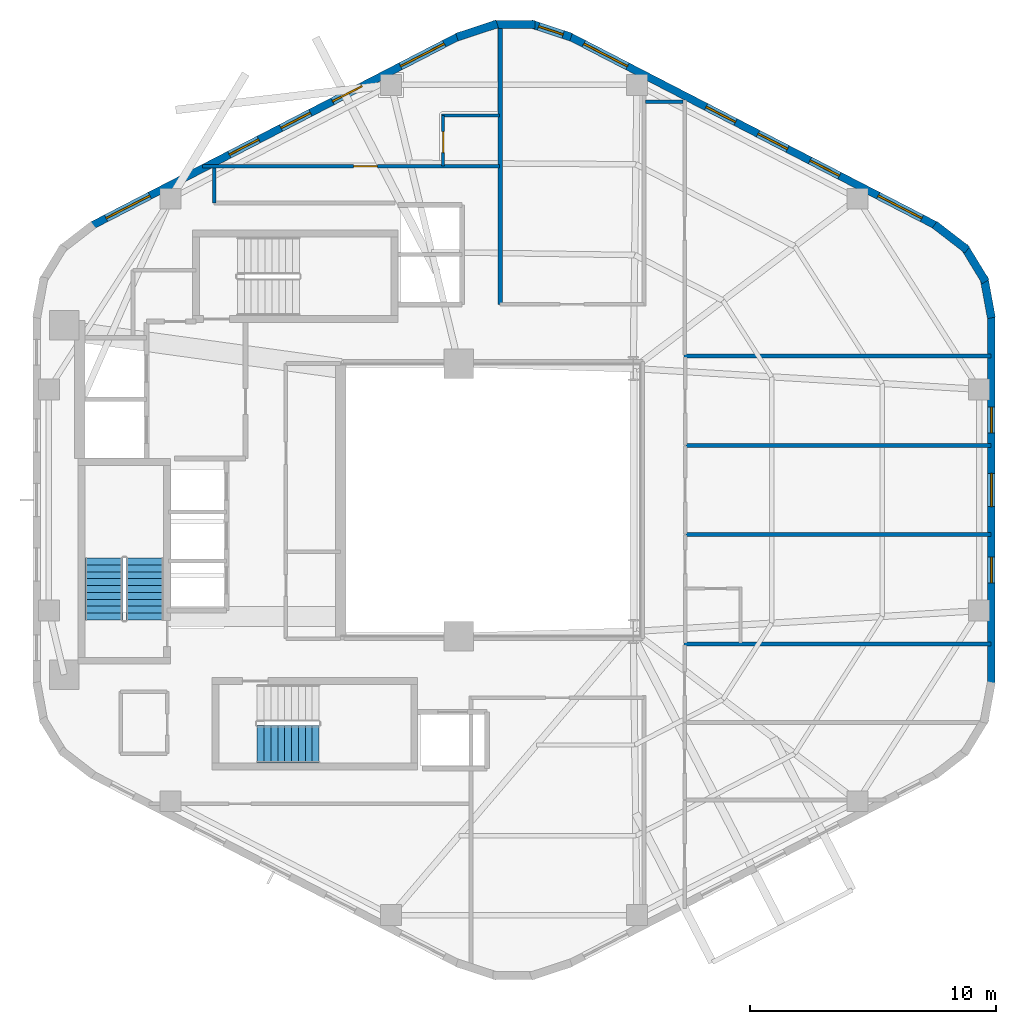
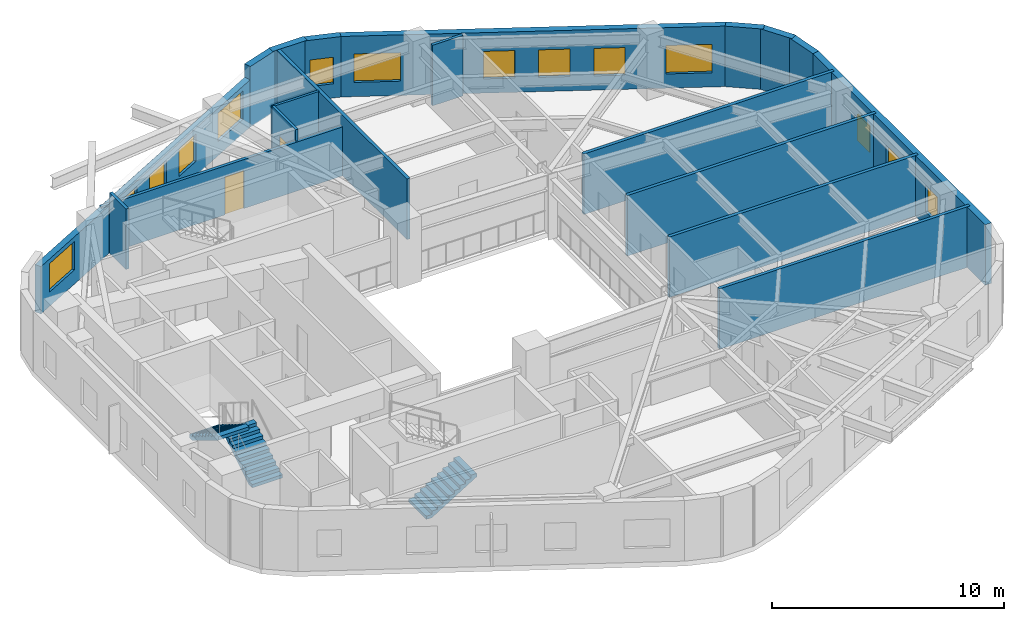
# One storey, part 5 of 7: 19 walls, 14 windows, 3 stair flights, 2 doors, 16 openings, 2 elements without a shape of their own.
"""IFC4 building model written with IfcOpenShell, lengths in metres."""

from ifc_helpers import new_model, si_unit, direction, frame, frame_2d, origin, place, context, subcontext, project, spatial, polyline, rectangle, outline, extrude, material, layer, layer_set, type_object, element, fill, aggregate, save


model = new_model("IFC4")

# Units and contexts
model_context = context("Model", 3, precision=1e-05, world=origin(), true_north=direction((0.0, 1.0)))
body_context = subcontext(model_context, "Body", "Model", "MODEL_VIEW")
ifc_project = project(units=[si_unit("LENGTHUNIT", "METRE"), si_unit("AREAUNIT", "SQUARE_METRE"), si_unit("VOLUMEUNIT", "CUBIC_METRE"), si_unit("PLANEANGLEUNIT", "RADIAN"), si_unit("MASSUNIT", "GRAM", prefix="KILO"), si_unit("THERMODYNAMICTEMPERATUREUNIT", "KELVIN"), si_unit("POWERUNIT", "WATT")], contexts=[model_context])

# Site, building, storey
site_placement = place(None, origin())
site = spatial("IfcSite", under=ifc_project, at=site_placement, CompositionType="ELEMENT")
building_placement = place(site_placement, origin())
building = spatial("IfcBuilding", under=site, at=building_placement, Name="Skarre Station Tower", CompositionType="ELEMENT")
storey_placement = place(building_placement, frame((0.0, 0.0, 199.89990234375)))
storey = spatial("IfcBuildingStorey", under=building, at=storey_placement, Name="L54", CompositionType="ELEMENT", Elevation=199.89990234375)

# Wall, opening, door
ifc_material_1 = material(Name="Acoustic Steel-Stud Gypsum Partition", Category="steel")
ifc_layer_1 = layer(ifc_material_1, 0.14990234375, Name="Acoustic Steel-Stud Gypsum Partition")
ifc_layer_set_1 = layer_set([ifc_layer_1], Name="Acoustic Steel-Stud Gypsum Partition")
wall_type_1 = type_object("IfcWallType", Name="Fire-Rated Corridor Acoustic Partition 150", PredefinedType="PARTITIONING", material=ifc_layer_set_1)
wall_1_placement = place(storey_placement, frame((34.0, 37.580078125, 0.0), z_axis=(0.0, 0.0, 1.0), x_axis=(-1.0, 0.0, 0.0)))
wall_1 = element("IfcWall", 1, at=wall_1_placement, inside=storey, type_object=wall_type_1, Name="L54 Interior Partition WL-PT-L54-NWW1-CW", PredefinedType="PARTITIONING", context=body_context, shape_type="SweptSolid", body=[
    extrude(rectangle(XDim=12.074951171875, YDim=0.14990234375, at=frame_2d((6.03759765625, 0.0))), origin(), (0.0, 0.0, 1.0), 2.58203125),
])
opening_1_placement = place(wall_1_placement, frame((4.9599609375, 0.0, 0.0)))
opening_1 = element("IfcOpeningElement", 2, at=opening_1_placement, cuts=wall_1, Name="Opening DR-FD60", PredefinedType="OPENING", context=body_context, shape_type="SweptSolid", body=[
    extrude(rectangle(XDim=0.9599609375, YDim=2.0, at=frame_2d((0.47998046875, 1.0))), frame((0.0, 0.0849609375, 0.0), z_axis=(0.0, -1.0, 0.0), x_axis=(1.0, 0.0, 0.0)), (0.0, 0.0, 1.0), 0.169921875),
])
ifc_material_2 = material(Name="Nordic White-Oak Veneer Solid-Core Fire Leaf", Category="wood")
door_type_1 = type_object("IfcDoorType", Name="Corridor Suite Entry Fire Door FD60 960x2150", OperationType="SINGLE_SWING_LEFT", PredefinedType="DOOR", material=ifc_material_2)
door_1_placement = place(opening_1_placement, origin())
door_1 = element("IfcDoor", 3, at=door_1_placement, inside=storey, type_object=door_type_1, Name="L54 NWW1 Entry Door", OperationType="SINGLE_SWING_LEFT", OverallHeight=2.0, OverallWidth=0.9599609375, PredefinedType="DOOR", context=body_context, shape_type="SweptSolid", body=[
    extrude(rectangle(XDim=0.9599609375, YDim=2.0, at=frame_2d((0.47998046875, 1.0))), frame((0.0, 0.02490234375, 0.0), z_axis=(0.0, -1.0, 0.0), x_axis=(1.0, 0.0, 0.0)), (0.0, 0.0, 1.0), 0.050048828125),
])
fill(opening_1, door_1)

# Walls
wall_2_placement = place(storey_placement, frame((22.39990234375, 36.080078125, 0.0), z_axis=(0.0, 0.0, 1.0), x_axis=(0.0, 1.0, 0.0)))
element("IfcWall", 4, at=wall_2_placement, inside=storey, type_object=wall_type_1, Name="L54 Interior Partition WL-PT-L54-CSEAL-2", PredefinedType="PARTITIONING", context=body_context, shape_type="SweptSolid", body=[
    extrude(rectangle(XDim=1.429931640625, YDim=0.14990234375, at=frame_2d((0.71484375, 0.0))), origin(), (0.0, 0.0, 1.0), 3.190185546875),
])
wall_3_placement = place(storey_placement, frame((39.9580078125, 40.199951171875, 0.0), z_axis=(0.0, 0.0, 1.0), x_axis=(1.0, 0.0, 0.0)))
element("IfcWall", 5, at=wall_3_placement, inside=storey, type_object=wall_type_1, Name="L54 Interior Partition WL-PT-L54-CSEAL-3", PredefinedType="PARTITIONING", context=body_context, shape_type="SweptSolid", body=[
    extrude(rectangle(XDim=1.511962890625, YDim=0.14990234375, at=frame_2d((0.755859375, 0.0))), origin(), (0.0, 0.0, 1.0), 3.190185546875),
])
ifc_material_3 = material(Name="Insulated Timber-Stud Gypsum Partition", Category="wood")
ifc_layer_2 = layer(ifc_material_3, 0.1201171875, Name="Insulated Timber-Stud Gypsum Partition")
ifc_layer_set_2 = layer_set([ifc_layer_2], Name="Insulated Timber-Stud Gypsum Partition")
wall_type_2 = type_object("IfcWallType", Name="Internal Suite Acoustic Partition 120", PredefinedType="PARTITIONING", material=ifc_layer_set_2)
wall_4_placement = place(storey_placement, frame((34.0, 39.639892578125, 0.0), z_axis=(0.0, 0.0, 1.0), x_axis=(-1.0, 0.0, 0.0)))
element("IfcWall", 6, at=wall_4_placement, inside=storey, type_object=wall_type_2, Name="L54 Interior Partition WL-PT-L54-NWW1-EW3", PredefinedType="PARTITIONING", context=body_context, shape_type="SweptSolid", body=[
    extrude(rectangle(XDim=2.340087890625, YDim=0.1201171875, at=frame_2d((1.169921875, 0.0))), origin(), (0.0, 0.0, 1.0), 3.190185546875),
])

# Wall, opening, door
wall_5_placement = place(storey_placement, frame((31.719970703125, 39.639892578125, 0.0), z_axis=(0.0, 0.0, 1.0), x_axis=(0.0, -1.0, 0.0)))
wall_5 = element("IfcWall", 7, at=wall_5_placement, inside=storey, type_object=wall_type_2, Name="L54 Interior Partition WL-PT-L54-NWW1-EW4", PredefinedType="PARTITIONING", context=body_context, shape_type="SweptSolid", body=[
    extrude(rectangle(XDim=2.059814453125, YDim=0.1201171875, at=frame_2d((1.02978515625, 0.0))), origin(), (0.0, 0.0, 1.0), 3.190185546875),
])
opening_2_placement = place(wall_5_placement, frame((0.64990234375, 0.0, 0.0)))
opening_2 = element("IfcOpeningElement", 8, at=opening_2_placement, cuts=wall_5, Name="Opening DR-INT86", PredefinedType="OPENING", context=body_context, shape_type="SweptSolid", body=[
    extrude(rectangle(XDim=0.860107421875, YDim=2.0, at=frame_2d((0.43017578125, 1.0))), frame((0.0, 0.070068359375, 0.0), z_axis=(0.0, -1.0, 0.0), x_axis=(1.0, 0.0, 0.0)), (0.0, 0.0, 1.0), 0.14013671875),
])
ifc_material_4 = material(Name="Nordic Birch Acoustic Solid-Core Timber Leaf", Category="wood")
door_type_2 = type_object("IfcDoorType", Name="Internal En-Suite & Bedroom Door 860x2100", OperationType="SINGLE_SWING_LEFT", PredefinedType="DOOR", material=ifc_material_4)
door_2_placement = place(opening_2_placement, origin())
door_2 = element("IfcDoor", 9, at=door_2_placement, inside=storey, type_object=door_type_2, Name="L54 NWW1 En-suite Door", OperationType="SINGLE_SWING_RIGHT", OverallHeight=2.0, OverallWidth=0.860107421875, PredefinedType="DOOR", context=body_context, shape_type="SweptSolid", body=[
    extrude(rectangle(XDim=0.860107421875, YDim=2.0, at=frame_2d((0.43017578125, 1.0))), frame((0.0, 0.02490234375, 0.0), z_axis=(0.0, -1.0, 0.0), x_axis=(1.0, 0.0, 0.0)), (0.0, 0.0, 1.0), 0.050048828125),
])
fill(opening_2, door_2)

# Walls
ifc_material_5 = material(Name="Precast concrete C45/55", Category="concrete")
ifc_layer_3 = layer(ifc_material_5, 0.330078125, Name="Precast concrete C45/55")
ifc_layer_set_3 = layer_set([ifc_layer_3], Name="Precast concrete C45/55")
wall_type_3 = type_object("IfcWallType", Name="Nordic Rounded Corner Precast Wall 330", PredefinedType="STANDARD", material=ifc_layer_set_3)
wall_6_placement = place(storey_placement, frame((51.7109375, 35.199951171875, 0.0), z_axis=(0.0, 0.0, 1.0), x_axis=(0.791464279355, -0.611215423976, 0.0)))
element("IfcWall", 10, at=wall_6_placement, inside=storey, type_object=wall_type_3, Name="L54 Rounded Corner Precast Wall F0-1", PredefinedType="STANDARD", context=body_context, shape_type="SweptSolid", body=[
    extrude(rectangle(XDim=1.6767578125, YDim=0.330078125, at=frame_2d((0.83837890625, 0.0))), origin(), (0.0, 0.0, 1.0), 3.190185546875),
])
wall_7_placement = place(storey_placement, frame((52.912109375, 34.31494140625, 0.0), z_axis=(0.0, 0.0, 1.0), x_axis=(0.520219286058, -0.85403272444, 0.0)))
element("IfcWall", 11, at=wall_7_placement, inside=storey, type_object=wall_type_3, Name="L54 Rounded Corner Precast Wall F0-2", PredefinedType="STANDARD", context=body_context, shape_type="SweptSolid", body=[
    extrude(rectangle(XDim=1.677734375, YDim=0.330078125, at=frame_2d((0.8388671875, 0.0))), origin(), (0.0, 0.0, 1.0), 3.190185546875),
])
wall_8_placement = place(storey_placement, frame((53.718017578125, 33.056884765625, 0.0), z_axis=(0.0, 0.0, 1.0), x_axis=(0.180717642671, -0.983535019014, 0.0)))
element("IfcWall", 12, at=wall_8_placement, inside=storey, type_object=wall_type_3, Name="L54 Rounded Corner Precast Wall F0-3", PredefinedType="STANDARD", context=body_context, shape_type="SweptSolid", body=[
    extrude(rectangle(XDim=1.676513671875, YDim=0.330078125, at=frame_2d((0.83837890625, 0.0))), origin(), (0.0, 0.0, 1.0), 3.190185546875),
])
wall_9_placement = place(storey_placement, frame((32.281005859375, 42.83203125, 0.0), z_axis=(0.0, 0.0, 1.0), x_axis=(0.949937416267, 0.312440242569, 0.0)))
element("IfcWall", 13, at=wall_9_placement, inside=storey, type_object=wall_type_3, Name="L54 Rounded Corner Precast Wall F1-1", PredefinedType="STANDARD", context=body_context, shape_type="SweptSolid", body=[
    extrude(rectangle(XDim=1.72216796875, YDim=0.330078125, at=frame_2d((0.861083984375, 0.0))), origin(), (0.0, 0.0, 1.0), 3.190185546875),
])
wall_10_placement = place(storey_placement, frame((33.739013671875, 43.341064453125, 0.0), z_axis=(0.0, 0.0, 1.0), x_axis=(1.0, 0.0, 0.0)))
element("IfcWall", 14, at=wall_10_placement, inside=storey, type_object=wall_type_3, Name="L54 Rounded Corner Precast Wall F1-2", PredefinedType="STANDARD", context=body_context, shape_type="SweptSolid", body=[
    extrude(rectangle(XDim=1.721923828125, YDim=0.330078125, at=frame_2d((0.86083984375, 0.0))), origin(), (0.0, 0.0, 1.0), 3.190185546875),
])

# Wall, opening, window
wall_11_placement = place(storey_placement, frame((35.282958984375, 43.3701171875, 0.0), z_axis=(0.0, 0.0, 1.0), x_axis=(0.949937416267, -0.312440242569, 0.0)))
wall_11 = element("IfcWall", 15, at=wall_11_placement, inside=storey, type_object=wall_type_3, Name="L54 Rounded Corner Precast Wall F1-3", PredefinedType="STANDARD", context=body_context, shape_type="SweptSolid", body=[
    extrude(rectangle(XDim=1.72216796875, YDim=0.330078125, at=frame_2d((0.861083984375, 0.0))), origin(), (0.0, 0.0, 1.0), 3.190185546875),
])
opening_3_placement = place(wall_11_placement, frame((0.3359375, 0.0, 0.75)))
opening_3 = element("IfcOpeningElement", 16, at=opening_3_placement, cuts=wall_11, Name="Opening WN-SLT", PredefinedType="OPENING", context=body_context, shape_type="SweptSolid", body=[
    extrude(rectangle(XDim=1.050048828125, YDim=1.39990234375, at=frame_2d((0.52490234375, 0.699951171875))), frame((0.0, 0.175048828125, 0.0), z_axis=(0.0, -1.0, 0.0), x_axis=(1.0, 0.0, 0.0)), (0.0, 0.0, 1.0), 0.35009765625),
])
ifc_material_6 = material(Name="Low-Iron Triple Glazing with Bronze Anodized Frame", Category="glass")
window_type_1 = type_object("IfcWindowType", Name="Nordic Corner Slot Window 1050x1400", PartitioningType="SINGLE_PANEL", PredefinedType="WINDOW", material=ifc_material_6)
window_1_placement = place(opening_3_placement, origin())
window_1 = element("IfcWindow", 17, at=window_1_placement, inside=storey, type_object=window_type_1, Name="L54 Apex Corner Slot Window F1-3", OverallHeight=1.39990234375, OverallWidth=1.050048828125, PartitioningType="SINGLE_PANEL", PredefinedType="WINDOW", context=body_context, shape_type="SweptSolid", body=[
    extrude(rectangle(XDim=1.050048828125, YDim=1.39990234375, at=frame_2d((0.52490234375, 0.699951171875))), frame((0.0, 0.030029296875, 0.0), z_axis=(0.0, -1.0, 0.0), x_axis=(1.0, 0.0, 0.0)), (0.0, 0.0, 1.0), 0.06005859375),
])
fill(opening_3, window_1)

# Wall, openings, windows
ifc_layer_4 = layer(ifc_material_5, 0.31005859375, Name="Precast concrete C45/55")
ifc_layer_set_4 = layer_set([ifc_layer_4], Name="Precast concrete C45/55")
wall_type_4 = type_object("IfcWallType", Name="Nordic Upper-Zone Precast Facet Wall 310", PredefinedType="STANDARD", material=ifc_layer_set_4)
wall_12_placement = place(storey_placement, frame((36.837890625, 42.87109375, 0.0), z_axis=(0.0, 0.0, 1.0), x_axis=(0.888626188278, -0.458632202867, 0.0)))
wall_12 = element("IfcWall", 18, at=wall_12_placement, inside=storey, type_object=wall_type_4, Name="L54 Facet 0 Nordic Precast Masonry Wall", PredefinedType="STANDARD", context=body_context, shape_type="SweptSolid", body=[
    extrude(rectangle(XDim=16.828369140625, YDim=0.31005859375, at=frame_2d((8.4140625, 0.0))), origin(), (0.0, 0.0, 1.0), 3.190185546875),
])
opening_4_placement = place(wall_12_placement, frame((0.675048828125, 0.0, 0.75)))
opening_4 = element("IfcOpeningElement", 19, at=opening_4_placement, cuts=wall_12, Name="Opening WN-Z3A", PredefinedType="OPENING", context=body_context, shape_type="SweptSolid", body=[
    extrude(rectangle(XDim=2.0, YDim=1.5, at=frame_2d((1.0, 0.75))), frame((0.0, 0.1650390625, 0.0), z_axis=(0.0, -1.0, 0.0), x_axis=(1.0, 0.0, 0.0)), (0.0, 0.0, 1.0), 0.330078125),
])
opening_5_placement = place(wall_12_placement, frame((6.27294921875, 0.0, 0.75)))
opening_5 = element("IfcOpeningElement", 20, at=opening_5_placement, cuts=wall_12, Name="Opening WN-Z3B", PredefinedType="OPENING", context=body_context, shape_type="SweptSolid", body=[
    extrude(rectangle(XDim=1.35009765625, YDim=1.449951171875, at=frame_2d((0.675048828125, 0.72509765625))), frame((0.0, 0.1650390625, 0.0), z_axis=(0.0, -1.0, 0.0), x_axis=(1.0, 0.0, 0.0)), (0.0, 0.0, 1.0), 0.330078125),
])
opening_6_placement = place(wall_12_placement, frame((8.653076171875, 0.0, 0.75)))
opening_6 = element("IfcOpeningElement", 21, at=opening_6_placement, cuts=wall_12, Name="Opening WN-Z3B", PredefinedType="OPENING", context=body_context, shape_type="SweptSolid", body=[
    extrude(rectangle(XDim=1.35009765625, YDim=1.449951171875, at=frame_2d((0.675048828125, 0.72509765625))), frame((0.0, 0.1650390625, 0.0), z_axis=(0.0, -1.0, 0.0), x_axis=(1.0, 0.0, 0.0)), (0.0, 0.0, 1.0), 0.330078125),
])
opening_7_placement = place(wall_12_placement, frame((11.031982421875, 0.0, 0.75)))
opening_7 = element("IfcOpeningElement", 22, at=opening_7_placement, cuts=wall_12, Name="Opening WN-Z3B", PredefinedType="OPENING", context=body_context, shape_type="SweptSolid", body=[
    extrude(rectangle(XDim=1.35009765625, YDim=1.449951171875, at=frame_2d((0.675048828125, 0.72509765625))), frame((0.0, 0.1650390625, 0.0), z_axis=(0.0, -1.0, 0.0), x_axis=(1.0, 0.0, 0.0)), (0.0, 0.0, 1.0), 0.330078125),
])
opening_8_placement = place(wall_12_placement, frame((14.153076171875, 0.0, 0.75)))
opening_8 = element("IfcOpeningElement", 23, at=opening_8_placement, cuts=wall_12, Name="Opening WN-Z3A", PredefinedType="OPENING", context=body_context, shape_type="SweptSolid", body=[
    extrude(rectangle(XDim=2.0, YDim=1.5, at=frame_2d((1.0, 0.75))), frame((0.0, 0.1650390625, 0.0), z_axis=(0.0, -1.0, 0.0), x_axis=(1.0, 0.0, 0.0)), (0.0, 0.0, 1.0), 0.330078125),
])
window_type_2 = type_object("IfcWindowType", Name="Nordic Hospitality Narrow Window 1350x1450", PartitioningType="SINGLE_PANEL", PredefinedType="WINDOW", material=ifc_material_6)
window_2_placement = place(opening_5_placement, origin())
window_2 = element("IfcWindow", 24, at=window_2_placement, inside=storey, type_object=window_type_2, Name="L54 Facade Window WL-FAC-L54-F0-2", OverallHeight=1.449951171875, OverallWidth=1.35009765625, PartitioningType="SINGLE_PANEL", PredefinedType="WINDOW", context=body_context, shape_type="SweptSolid", body=[
    extrude(rectangle(XDim=1.35009765625, YDim=1.449951171875, at=frame_2d((0.675048828125, 0.72509765625))), frame((0.0, 0.030029296875, 0.0), z_axis=(0.0, -1.0, 0.0), x_axis=(1.0, 0.0, 0.0)), (0.0, 0.0, 1.0), 0.06005859375),
])
fill(opening_5, window_2)
window_3_placement = place(opening_6_placement, origin())
window_3 = element("IfcWindow", 25, at=window_3_placement, inside=storey, type_object=window_type_2, Name="L54 Facade Window WL-FAC-L54-F0-3", OverallHeight=1.449951171875, OverallWidth=1.35009765625, PartitioningType="SINGLE_PANEL", PredefinedType="WINDOW", context=body_context, shape_type="SweptSolid", body=[
    extrude(rectangle(XDim=1.35009765625, YDim=1.449951171875, at=frame_2d((0.675048828125, 0.72509765625))), frame((0.0, 0.030029296875, 0.0), z_axis=(0.0, -1.0, 0.0), x_axis=(1.0, 0.0, 0.0)), (0.0, 0.0, 1.0), 0.06005859375),
])
fill(opening_6, window_3)
window_4_placement = place(opening_7_placement, origin())
window_4 = element("IfcWindow", 26, at=window_4_placement, inside=storey, type_object=window_type_2, Name="L54 Facade Window WL-FAC-L54-F0-4", OverallHeight=1.449951171875, OverallWidth=1.35009765625, PartitioningType="SINGLE_PANEL", PredefinedType="WINDOW", context=body_context, shape_type="SweptSolid", body=[
    extrude(rectangle(XDim=1.35009765625, YDim=1.449951171875, at=frame_2d((0.675048828125, 0.72509765625))), frame((0.0, 0.030029296875, 0.0), z_axis=(0.0, -1.0, 0.0), x_axis=(1.0, 0.0, 0.0)), (0.0, 0.0, 1.0), 0.06005859375),
])
fill(opening_7, window_4)
window_type_3 = type_object("IfcWindowType", Name="Nordic Hospitality Window 2000x1500", PartitioningType="SINGLE_PANEL", PredefinedType="WINDOW", material=ifc_material_6)
window_5_placement = place(opening_4_placement, origin())
window_5 = element("IfcWindow", 27, at=window_5_placement, inside=storey, type_object=window_type_3, Name="L54 Facade Window WL-FAC-L54-F0-1", OverallHeight=1.5, OverallWidth=2.0, PartitioningType="SINGLE_PANEL", PredefinedType="WINDOW", context=body_context, shape_type="SweptSolid", body=[
    extrude(rectangle(XDim=2.0, YDim=1.5, at=frame_2d((1.0, 0.75))), frame((0.0, 0.030029296875, 0.0), z_axis=(0.0, -1.0, 0.0), x_axis=(1.0, 0.0, 0.0)), (0.0, 0.0, 1.0), 0.06005859375),
])
fill(opening_4, window_5)
window_6_placement = place(opening_8_placement, origin())
window_6 = element("IfcWindow", 28, at=window_6_placement, inside=storey, type_object=window_type_3, Name="L54 Facade Window WL-FAC-L54-F0-5", OverallHeight=1.5, OverallWidth=2.0, PartitioningType="SINGLE_PANEL", PredefinedType="WINDOW", context=body_context, shape_type="SweptSolid", body=[
    extrude(rectangle(XDim=2.0, YDim=1.5, at=frame_2d((1.0, 0.75))), frame((0.0, 0.030029296875, 0.0), z_axis=(0.0, -1.0, 0.0), x_axis=(1.0, 0.0, 0.0)), (0.0, 0.0, 1.0), 0.06005859375),
])
fill(opening_8, window_6)

wall_13_placement = place(storey_placement, frame((17.407958984375, 35.153076171875, 0.0), z_axis=(0.0, 0.0, 1.0), x_axis=(0.888626188278, 0.458632202867, 0.0)))
wall_13 = element("IfcWall", 29, at=wall_13_placement, inside=storey, type_object=wall_type_4, Name="L54 Facet 1 Nordic Precast Masonry Wall", PredefinedType="STANDARD", context=body_context, shape_type="SweptSolid", body=[
    extrude(rectangle(XDim=16.828369140625, YDim=0.31005859375, at=frame_2d((8.4140625, 0.0))), origin(), (0.0, 0.0, 1.0), 2.494140625),
])
opening_9_placement = place(wall_13_placement, frame((0.675048828125, 0.0, 0.75)))
opening_9 = element("IfcOpeningElement", 30, at=opening_9_placement, cuts=wall_13, Name="Opening WN-Z3A", PredefinedType="OPENING", context=body_context, shape_type="SweptSolid", body=[
    extrude(rectangle(XDim=2.0, YDim=1.5, at=frame_2d((1.0, 0.75))), frame((0.0, 0.1650390625, 0.0), z_axis=(0.0, -1.0, 0.0), x_axis=(1.0, 0.0, 0.0)), (0.0, 0.0, 1.0), 0.330078125),
])
opening_10_placement = place(wall_13_placement, frame((6.31201171875, 0.0, 0.75)))
opening_10 = element("IfcOpeningElement", 31, at=opening_10_placement, cuts=wall_13, Name="Opening WN-Z3B", PredefinedType="OPENING", context=body_context, shape_type="SweptSolid", body=[
    extrude(rectangle(XDim=1.35009765625, YDim=1.449951171875, at=frame_2d((0.675048828125, 0.72509765625))), frame((0.0, 0.1650390625, 0.0), z_axis=(0.0, -1.0, 0.0), x_axis=(1.0, 0.0, 0.0)), (0.0, 0.0, 1.0), 0.330078125),
])
opening_11_placement = place(wall_13_placement, frame((8.676025390625, 0.0, 0.75)))
opening_11 = element("IfcOpeningElement", 32, at=opening_11_placement, cuts=wall_13, Name="Opening WN-Z3B", PredefinedType="OPENING", context=body_context, shape_type="SweptSolid", body=[
    extrude(rectangle(XDim=1.35009765625, YDim=1.449951171875, at=frame_2d((0.675048828125, 0.72509765625))), frame((0.0, 0.1650390625, 0.0), z_axis=(0.0, -1.0, 0.0), x_axis=(1.0, 0.0, 0.0)), (0.0, 0.0, 1.0), 0.330078125),
])
opening_12_placement = place(wall_13_placement, frame((11.041015625, 0.0, 0.75)))
opening_12 = element("IfcOpeningElement", 33, at=opening_12_placement, cuts=wall_13, Name="Opening WN-Z3B", PredefinedType="OPENING", context=body_context, shape_type="SweptSolid", body=[
    extrude(rectangle(XDim=1.35009765625, YDim=1.449951171875, at=frame_2d((0.675048828125, 0.72509765625))), frame((0.0, 0.1650390625, 0.0), z_axis=(0.0, -1.0, 0.0), x_axis=(1.0, 0.0, 0.0)), (0.0, 0.0, 1.0), 0.330078125),
])
opening_13_placement = place(wall_13_placement, frame((14.153076171875, 0.0, 0.75)))
opening_13 = element("IfcOpeningElement", 34, at=opening_13_placement, cuts=wall_13, Name="Opening WN-Z3A", PredefinedType="OPENING", context=body_context, shape_type="SweptSolid", body=[
    extrude(rectangle(XDim=2.0, YDim=1.5, at=frame_2d((1.0, 0.75))), frame((0.0, 0.1650390625, 0.0), z_axis=(0.0, -1.0, 0.0), x_axis=(1.0, 0.0, 0.0)), (0.0, 0.0, 1.0), 0.330078125),
])
window_7_placement = place(opening_10_placement, origin())
window_7 = element("IfcWindow", 35, at=window_7_placement, inside=storey, type_object=window_type_2, Name="L54 Facade Window WL-FAC-L54-F1-2", OverallHeight=1.449951171875, OverallWidth=1.35009765625, PartitioningType="SINGLE_PANEL", PredefinedType="WINDOW", context=body_context, shape_type="SweptSolid", body=[
    extrude(rectangle(XDim=1.35009765625, YDim=1.449951171875, at=frame_2d((0.675048828125, 0.72509765625))), frame((0.0, 0.030029296875, 0.0), z_axis=(0.0, -1.0, 0.0), x_axis=(1.0, 0.0, 0.0)), (0.0, 0.0, 1.0), 0.06005859375),
])
fill(opening_10, window_7)
window_8_placement = place(opening_11_placement, origin())
window_8 = element("IfcWindow", 36, at=window_8_placement, inside=storey, type_object=window_type_2, Name="L54 Facade Window WL-FAC-L54-F1-3", OverallHeight=1.449951171875, OverallWidth=1.35009765625, PartitioningType="SINGLE_PANEL", PredefinedType="WINDOW", context=body_context, shape_type="SweptSolid", body=[
    extrude(rectangle(XDim=1.35009765625, YDim=1.449951171875, at=frame_2d((0.675048828125, 0.72509765625))), frame((0.0, 0.030029296875, 0.0), z_axis=(0.0, -1.0, 0.0), x_axis=(1.0, 0.0, 0.0)), (0.0, 0.0, 1.0), 0.06005859375),
])
fill(opening_11, window_8)
window_9_placement = place(opening_12_placement, origin())
window_9 = element("IfcWindow", 37, at=window_9_placement, inside=storey, type_object=window_type_2, Name="L54 Facade Window WL-FAC-L54-F1-4", OverallHeight=1.449951171875, OverallWidth=1.35009765625, PartitioningType="SINGLE_PANEL", PredefinedType="WINDOW", context=body_context, shape_type="SweptSolid", body=[
    extrude(rectangle(XDim=1.35009765625, YDim=1.449951171875, at=frame_2d((0.675048828125, 0.72509765625))), frame((0.0, 0.030029296875, 0.0), z_axis=(0.0, -1.0, 0.0), x_axis=(1.0, 0.0, 0.0)), (0.0, 0.0, 1.0), 0.06005859375),
])
fill(opening_12, window_9)
window_10_placement = place(opening_9_placement, origin())
window_10 = element("IfcWindow", 38, at=window_10_placement, inside=storey, type_object=window_type_3, Name="L54 Facade Window WL-FAC-L54-F1-1", OverallHeight=1.5, OverallWidth=2.0, PartitioningType="SINGLE_PANEL", PredefinedType="WINDOW", context=body_context, shape_type="SweptSolid", body=[
    extrude(rectangle(XDim=2.0, YDim=1.5, at=frame_2d((1.0, 0.75))), frame((0.0, 0.030029296875, 0.0), z_axis=(0.0, -1.0, 0.0), x_axis=(1.0, 0.0, 0.0)), (0.0, 0.0, 1.0), 0.06005859375),
])
fill(opening_9, window_10)
window_11_placement = place(opening_13_placement, origin())
window_11 = element("IfcWindow", 39, at=window_11_placement, inside=storey, type_object=window_type_3, Name="L54 Facade Window WL-FAC-L54-F1-5", OverallHeight=1.5, OverallWidth=2.0, PartitioningType="SINGLE_PANEL", PredefinedType="WINDOW", context=body_context, shape_type="SweptSolid", body=[
    extrude(rectangle(XDim=2.0, YDim=1.5, at=frame_2d((1.0, 0.75))), frame((0.0, 0.030029296875, 0.0), z_axis=(0.0, -1.0, 0.0), x_axis=(1.0, 0.0, 0.0)), (0.0, 0.0, 1.0), 0.06005859375),
])
fill(opening_13, window_11)

wall_14_placement = place(storey_placement, frame((54.01708984375, 31.501953125, 0.0), z_axis=(0.0, 0.0, 1.0), x_axis=(0.0, -1.0, 0.0)))
wall_14 = element("IfcWall", 40, at=wall_14_placement, inside=storey, type_object=wall_type_4, Name="L54 Facet 5 Nordic Precast Masonry Wall", PredefinedType="STANDARD", context=body_context, shape_type="SweptSolid", body=[
    extrude(rectangle(XDim=15.00390625, YDim=0.31005859375, at=frame_2d((7.501953125, 0.0))), origin(), (0.0, 0.0, 1.0), 3.190185546875),
])
opening_14_placement = place(wall_14_placement, frame((3.721923828125, 0.0, 0.75)))
opening_14 = element("IfcOpeningElement", 41, at=opening_14_placement, cuts=wall_14, Name="Opening WN-SLT", PredefinedType="OPENING", context=body_context, shape_type="SweptSolid", body=[
    extrude(rectangle(XDim=1.050048828125, YDim=1.39990234375, at=frame_2d((0.52490234375, 0.699951171875))), frame((0.0, 0.1650390625, 0.0), z_axis=(0.0, -1.0, 0.0), x_axis=(1.0, 0.0, 0.0)), (0.0, 0.0, 1.0), 0.330078125),
])
opening_15_placement = place(wall_14_placement, frame((6.4189453125, 0.0, 0.75)))
opening_15 = element("IfcOpeningElement", 42, at=opening_15_placement, cuts=wall_14, Name="Opening WN-Z3B", PredefinedType="OPENING", context=body_context, shape_type="SweptSolid", body=[
    extrude(rectangle(XDim=1.35009765625, YDim=1.449951171875, at=frame_2d((0.675048828125, 0.72509765625))), frame((0.0, 0.1650390625, 0.0), z_axis=(0.0, -1.0, 0.0), x_axis=(1.0, 0.0, 0.0)), (0.0, 0.0, 1.0), 0.330078125),
])
opening_16_placement = place(wall_14_placement, frame((9.824951171875, 0.0, 0.75)))
opening_16 = element("IfcOpeningElement", 43, at=opening_16_placement, cuts=wall_14, Name="Opening WN-SLT", PredefinedType="OPENING", context=body_context, shape_type="SweptSolid", body=[
    extrude(rectangle(XDim=1.050048828125, YDim=1.39990234375, at=frame_2d((0.52490234375, 0.699951171875))), frame((0.0, 0.1650390625, 0.0), z_axis=(0.0, -1.0, 0.0), x_axis=(1.0, 0.0, 0.0)), (0.0, 0.0, 1.0), 0.330078125),
])
window_12_placement = place(opening_14_placement, origin())
window_12 = element("IfcWindow", 44, at=window_12_placement, inside=storey, type_object=window_type_1, Name="L54 Facade Window WL-FAC-L54-F5-1", OverallHeight=1.39990234375, OverallWidth=1.050048828125, PartitioningType="SINGLE_PANEL", PredefinedType="WINDOW", context=body_context, shape_type="SweptSolid", body=[
    extrude(rectangle(XDim=1.050048828125, YDim=1.39990234375, at=frame_2d((0.52490234375, 0.699951171875))), frame((0.0, 0.030029296875, 0.0), z_axis=(0.0, -1.0, 0.0), x_axis=(1.0, 0.0, 0.0)), (0.0, 0.0, 1.0), 0.06005859375),
])
fill(opening_14, window_12)
window_13_placement = place(opening_16_placement, origin())
window_13 = element("IfcWindow", 45, at=window_13_placement, inside=storey, type_object=window_type_1, Name="L54 Facade Window WL-FAC-L54-F5-3", OverallHeight=1.39990234375, OverallWidth=1.050048828125, PartitioningType="SINGLE_PANEL", PredefinedType="WINDOW", context=body_context, shape_type="SweptSolid", body=[
    extrude(rectangle(XDim=1.050048828125, YDim=1.39990234375, at=frame_2d((0.52490234375, 0.699951171875))), frame((0.0, 0.030029296875, 0.0), z_axis=(0.0, -1.0, 0.0), x_axis=(1.0, 0.0, 0.0)), (0.0, 0.0, 1.0), 0.06005859375),
])
fill(opening_16, window_13)
window_14_placement = place(opening_15_placement, origin())
window_14 = element("IfcWindow", 46, at=window_14_placement, inside=storey, type_object=window_type_2, Name="L54 Facade Window WL-FAC-L54-F5-2", OverallHeight=1.449951171875, OverallWidth=1.35009765625, PartitioningType="SINGLE_PANEL", PredefinedType="WINDOW", context=body_context, shape_type="SweptSolid", body=[
    extrude(rectangle(XDim=1.35009765625, YDim=1.449951171875, at=frame_2d((0.675048828125, 0.72509765625))), frame((0.0, 0.030029296875, 0.0), z_axis=(0.0, -1.0, 0.0), x_axis=(1.0, 0.0, 0.0)), (0.0, 0.0, 1.0), 0.06005859375),
])
fill(opening_15, window_14)

# Walls
ifc_layer_5 = layer(ifc_material_1, 0.1650390625, Name="Acoustic Steel-Stud Gypsum Partition")
ifc_layer_set_5 = layer_set([ifc_layer_5], Name="Acoustic Steel-Stud Gypsum Partition")
wall_type_5 = type_object("IfcWallType", Name="Suite Demising Acoustic Partition 165", PredefinedType="PARTITIONING", material=ifc_layer_set_5)
wall_15_placement = place(storey_placement, frame((34.0400390625, 31.9599609375, 0.0), z_axis=(0.0, 0.0, 1.0), x_axis=(0.0, 1.0, 0.0)))
element("IfcWall", 47, at=wall_15_placement, inside=storey, type_object=wall_type_5, Name="L54 Interior Partition WL-PT-L54-NW-WBND", PredefinedType="PARTITIONING", context=body_context, shape_type="SweptSolid", body=[
    extrude(rectangle(XDim=11.3759765625, YDim=0.1650390625, at=frame_2d((5.68798828125, 0.0))), origin(), (0.0, 0.0, 1.0), 3.190185546875),
])
for number, where, z_axis, x_axis, name in (
    (48, (41.52001953125, 18.139892578125, 0.0), (0.0, 0.0, 1.0), (1.0, 0.0, 0.0), "L54 Interior Partition WL-PT-L54-EWB-S"),
    (49, (41.52001953125, 29.860107421875, 0.0), (0.0, 0.0, 1.0), (1.0, 0.0, 0.0), "L54 Interior Partition WL-PT-L54-EWB-N"),
):
    element("IfcWall", number, at=place(storey_placement, frame(where, z_axis=z_axis, x_axis=x_axis)), inside=storey, type_object=wall_type_5, Name=name, PredefinedType="PARTITIONING", context=body_context, shape_type="SweptSolid", body=[
        extrude(rectangle(XDim=12.48193359375, YDim=0.1650390625, at=frame_2d((6.240966796875, 0.0))), origin(), (0.0, 0.0, 1.0), 3.190185546875),
    ])
for number, where, z_axis, x_axis, name in (
    (50, (41.590087890625, 22.60302734375, 0.0), (0.0, 0.0, 1.0), (1.0, 0.0, 0.0), "L54 Interior Partition WL-PT-L54-EW-P1"),
    (51, (41.590087890625, 26.2119140625, 0.0), (0.0, 0.0, 1.0), (1.0, 0.0, 0.0), "L54 Interior Partition WL-PT-L54-EW-P2"),
):
    element("IfcWall", number, at=place(storey_placement, frame(where, z_axis=z_axis, x_axis=x_axis)), inside=storey, type_object=wall_type_5, Name=name, PredefinedType="PARTITIONING", context=body_context, shape_type="SweptSolid", body=[
        extrude(rectangle(XDim=12.411865234375, YDim=0.1650390625, at=frame_2d((6.2060546875, 0.0))), origin(), (0.0, 0.0, 1.0), 3.190185546875),
    ])

# Stair, stair flights
ifc_material_7 = material(Name="Concrete C40/50", Category="concrete")
stair_type_1 = type_object("IfcStairType", Name="Reinforced Concrete Exit Stair ST-1", PredefinedType="HALF_TURN_STAIR", material=ifc_material_7)
stair_1_placement = place(storey_placement, origin())
stair_1 = element("IfcStair", 52, at=stair_1_placement, inside=storey, type_object=stair_type_1, Name="L54 Core Exit Stair ST-1", PredefinedType="HALF_TURN_STAIR")
stair_flight_type_1 = type_object("IfcStairFlightType", Name="Reinforced Concrete Stair Flight ST-1", PredefinedType="STRAIGHT", material=ifc_material_7)
stair_flight_1_placement = place(storey_placement, frame((19.590087890625, 19.1201171875, 0.0), z_axis=(0.0, 0.0, 1.0), x_axis=(0.0, 1.0, 0.0)))
stair_flight_1 = element("IfcStairFlight", 53, at=stair_flight_1_placement, type_object=stair_flight_type_1, Name="ST-1 flight 1", NumberOfRisers=10, NumberOfTreads=9, PredefinedType="STRAIGHT", RiserHeight=0.1725, TreadLength=0.28, context=body_context, shape_type="SweptSolid", body=[
    extrude(outline(polyline([(0.0, 0.0), (0.0, 0.172607421875), (0.280029296875, 0.172607421875), (0.280029296875, 0.344970703125), (0.56005859375, 0.344970703125), (0.56005859375, 0.517578125), (0.840087890625, 0.517578125), (0.840087890625, 0.68994140625), (1.1201171875, 0.68994140625), (1.1201171875, 0.862548828125), (1.39990234375, 0.862548828125), (1.39990234375, 1.034912109375), (1.679931640625, 1.034912109375), (1.679931640625, 1.20751953125), (1.9599609375, 1.20751953125), (1.9599609375, 1.3798828125), (2.239990234375, 1.3798828125), (2.239990234375, 1.552490234375), (2.52001953125, 1.552490234375), (2.52001953125, 1.72509765625), (2.52001953125, 1.37646484375), (0.285888671875, 0.0), (0.0, 0.0)])), frame((0.0, 0.760009765625, 0.0), z_axis=(0.0, -1.0, 0.0), x_axis=(1.0, 0.0, 0.0)), (0.0, 0.0, 1.0), 1.52001953125),
])
stair_flight_2_placement = place(storey_placement, frame((17.909912109375, 21.639892578125, 1.72509765625), z_axis=(0.0, 0.0, 1.0), x_axis=(0.0, -1.0, 0.0)))
stair_flight_2 = element("IfcStairFlight", 54, at=stair_flight_2_placement, type_object=stair_flight_type_1, Name="ST-1 flight 2", NumberOfRisers=10, NumberOfTreads=9, PredefinedType="STRAIGHT", RiserHeight=0.1725, TreadLength=0.28, context=body_context, shape_type="SweptSolid", body=[
    extrude(outline(polyline([(0.0, 0.0), (0.0, 0.172607421875), (0.280029296875, 0.172607421875), (0.280029296875, 0.344970703125), (0.56005859375, 0.344970703125), (0.56005859375, 0.517578125), (0.840087890625, 0.517578125), (0.840087890625, 0.68994140625), (1.1201171875, 0.68994140625), (1.1201171875, 0.862548828125), (1.39990234375, 0.862548828125), (1.39990234375, 1.034912109375), (1.679931640625, 1.034912109375), (1.679931640625, 1.20751953125), (1.9599609375, 1.20751953125), (1.9599609375, 1.3798828125), (2.239990234375, 1.3798828125), (2.239990234375, 1.552490234375), (2.52001953125, 1.552490234375), (2.52001953125, 1.72509765625), (2.52001953125, 1.37646484375), (0.285888671875, 0.0), (0.0, 0.0)])), frame((0.0, 0.760009765625, 0.0), z_axis=(0.0, -1.0, 0.0), x_axis=(1.0, 0.0, 0.0)), (0.0, 0.0, 1.0), 1.52001953125),
])
aggregate(stair_1, [stair_flight_1, stair_flight_2])

# Stair, stair flight
stair_type_2 = type_object("IfcStairType", Name="Reinforced Concrete Exit Stair ST-2", PredefinedType="HALF_TURN_STAIR", material=ifc_material_7)
stair_2_placement = place(storey_placement, origin())
stair_2 = element("IfcStair", 55, at=stair_2_placement, inside=storey, type_object=stair_type_2, Name="L54 Core Exit Stair ST-2", PredefinedType="HALF_TURN_STAIR")
stair_flight_type_2 = type_object("IfcStairFlightType", Name="Reinforced Concrete Stair Flight ST-2", PredefinedType="STRAIGHT", material=ifc_material_7)
stair_flight_3_placement = place(storey_placement, frame((24.14990234375, 14.06005859375, 0.0), z_axis=(0.0, 0.0, 1.0), x_axis=(1.0, 0.0, 0.0)))
stair_flight_3 = element("IfcStairFlight", 56, at=stair_flight_3_placement, type_object=stair_flight_type_2, Name="ST-2 flight 1", NumberOfRisers=10, NumberOfTreads=9, PredefinedType="STRAIGHT", RiserHeight=0.1725, TreadLength=0.28, context=body_context, shape_type="SweptSolid", body=[
    extrude(outline(polyline([(0.0, 0.0), (0.0, 0.172607421875), (0.280029296875, 0.172607421875), (0.280029296875, 0.344970703125), (0.56005859375, 0.344970703125), (0.56005859375, 0.517578125), (0.840087890625, 0.517578125), (0.840087890625, 0.68994140625), (1.1201171875, 0.68994140625), (1.1201171875, 0.862548828125), (1.39990234375, 0.862548828125), (1.39990234375, 1.034912109375), (1.679931640625, 1.034912109375), (1.679931640625, 1.20751953125), (1.9599609375, 1.20751953125), (1.9599609375, 1.3798828125), (2.239990234375, 1.3798828125), (2.239990234375, 1.552490234375), (2.52001953125, 1.552490234375), (2.52001953125, 1.72509765625), (2.52001953125, 1.37646484375), (0.285888671875, 0.0), (0.0, 0.0)])), frame((0.0, 0.760009765625, 0.0), z_axis=(0.0, -1.0, 0.0), x_axis=(1.0, 0.0, 0.0)), (0.0, 0.0, 1.0), 1.52001953125),
])
aggregate(stair_2, [stair_flight_3])

save(model, "model.ifc")
